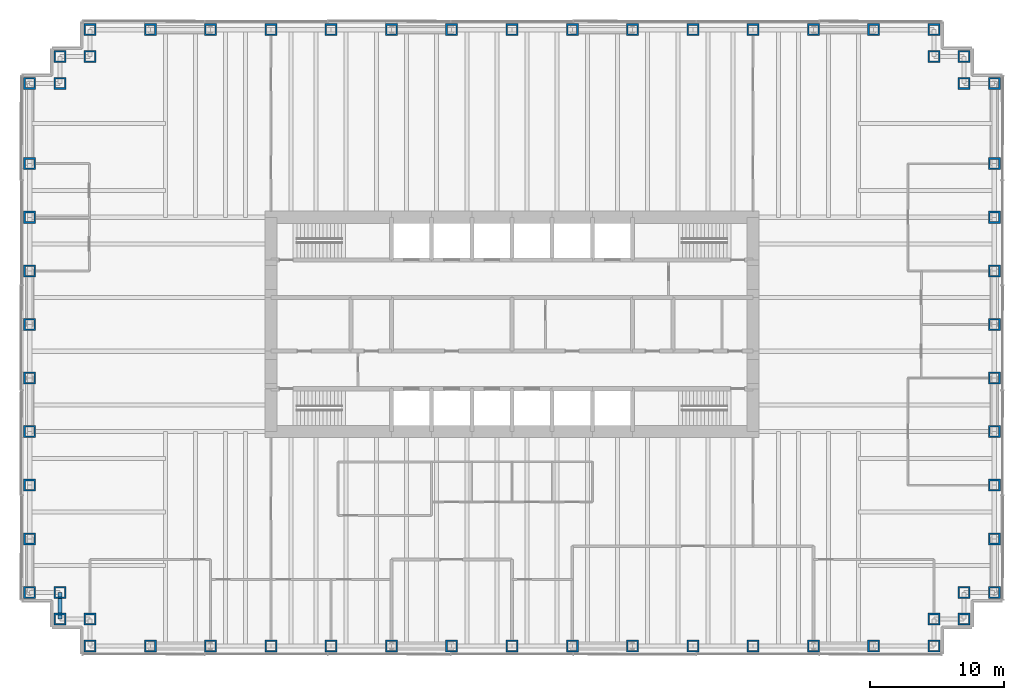
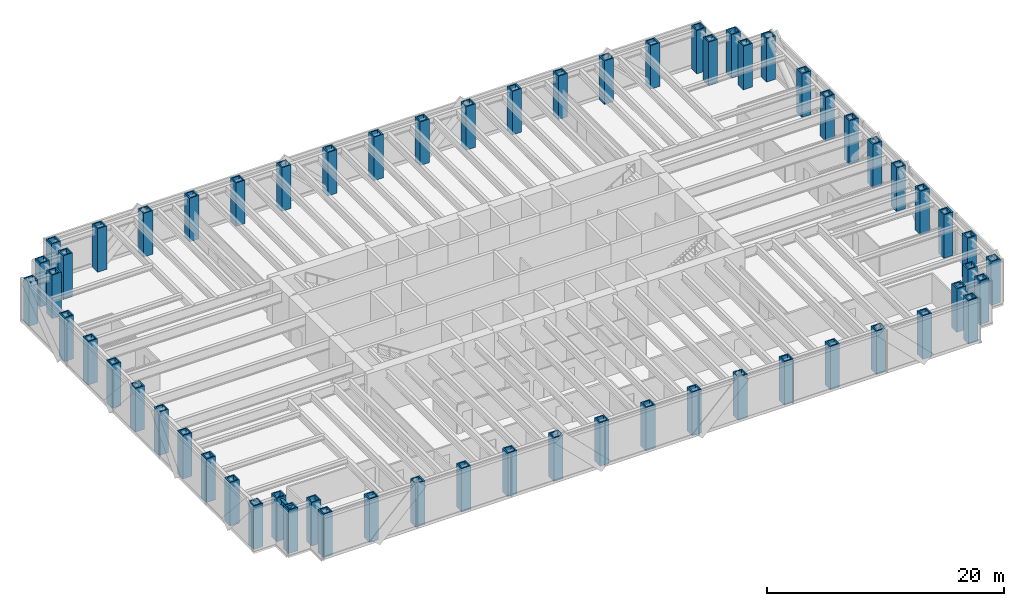
# One storey, part 1 of 13: 62 columns, 1 beam.
"""IFC4 building model written with IfcOpenShell, lengths in metres."""

from ifc_helpers import new_model, si_unit, direction, frame, origin, origin_2d, place, context, subcontext, project, spatial, hollow_rectangle, i_section, extrude, material, material_profile, profile_set, type_object, element, save


model = new_model("IFC4")

# Units and contexts
model_context = context("Model", 3, precision=1e-05, world=origin(), true_north=direction((0.0, 1.0)))
body_context = subcontext(model_context, "Body", "Model", "MODEL_VIEW")
ifc_project = project(units=[si_unit("LENGTHUNIT", "METRE"), si_unit("AREAUNIT", "SQUARE_METRE"), si_unit("VOLUMEUNIT", "CUBIC_METRE"), si_unit("PLANEANGLEUNIT", "RADIAN"), si_unit("MASSUNIT", "GRAM", prefix="KILO")], contexts=[model_context])

# Site, building, storey
site_placement = place(None, origin())
site = spatial("IfcSite", under=ifc_project, at=site_placement, CompositionType="ELEMENT")
building_placement = place(site_placement, origin())
building = spatial("IfcBuilding", under=site, at=building_placement, Name="Rheinbord Bourse Tower", CompositionType="ELEMENT")
storey_placement = place(building_placement, frame((0.0, 0.0, 36.5)))
storey = spatial("IfcBuildingStorey", under=building, at=storey_placement, Name="L07", CompositionType="ELEMENT", Elevation=36.5)

# Columns
ifc_material_1 = material(Name="Steel S460M", Category="steel")
ifc_material_profile_1 = material_profile(ifc_material_1, hollow_rectangle(XDim=0.89990234375, YDim=0.89990234375, WallThickness=0.1201171875, at=origin_2d()), Name="BOX 900x900x120")
ifc_profile_set_1 = profile_set([ifc_material_profile_1], Name="Steel S460M")
column_type = type_object("IfcColumnType", Name="TUBE COLUMN BOX 900x900x120", PredefinedType="COLUMN", material=ifc_profile_set_1)
for number, where, z_axis, x_axis, name in (
    (1, (4.5, 0.0, 0.0), (0.0, 0.0, 1.0), (0.0, 1.0, 0.0), "Column SW-E L07"),
    (2, (9.0, 0.0, 0.0), (0.0, 0.0, 1.0), (0.0, 1.0, 0.0), "Column S-9 L07"),
    (3, (13.5, 0.0, 0.0), (0.0, 0.0, 1.0), (0.0, 1.0, 0.0), "Column S-13.5 L07"),
    (4, (18.0, 0.0, 0.0), (0.0, 0.0, 1.0), (0.0, 1.0, 0.0), "Column S-18 L07"),
    (5, (22.5, 0.0, 0.0), (0.0, 0.0, 1.0), (0.0, 1.0, 0.0), "Column S-22.5 L07"),
    (6, (27.0, 0.0, 0.0), (0.0, 0.0, 1.0), (0.0, 1.0, 0.0), "Column S-27 L07"),
    (7, (31.5, 0.0, 0.0), (0.0, 0.0, 1.0), (0.0, 1.0, 0.0), "Column S-31.5 L07"),
    (8, (36.0, 0.0, 0.0), (0.0, 0.0, 1.0), (0.0, 1.0, 0.0), "Column S-36 L07"),
    (9, (40.5, 0.0, 0.0), (0.0, 0.0, 1.0), (0.0, 1.0, 0.0), "Column S-40.5 L07"),
    (10, (45.0, 0.0, 0.0), (0.0, 0.0, 1.0), (0.0, 1.0, 0.0), "Column S-45 L07"),
    (11, (49.5, 0.0, 0.0), (0.0, 0.0, 1.0), (0.0, 1.0, 0.0), "Column S-49.5 L07"),
    (12, (54.0, 0.0, 0.0), (0.0, 0.0, 1.0), (0.0, 1.0, 0.0), "Column S-54 L07"),
    (13, (58.5, 0.0, 0.0), (0.0, 0.0, 1.0), (0.0, 1.0, 0.0), "Column S-58.5 L07"),
    (14, (63.0, 0.0, 0.0), (0.0, 0.0, 1.0), (0.0, 1.0, 0.0), "Column S-63 L07"),
    (15, (67.5, 0.0, 0.0), (0.0, 0.0, 1.0), (0.0, 1.0, 0.0), "Column SE-E L07"),
    (16, (67.5, 2.0, 0.0), (0.0, 0.0, 1.0), (0.0, 1.0, 0.0), "Column SE-D L07"),
    (17, (69.75, 2.0, 0.0), (0.0, 0.0, 1.0), (1.0, 0.0, 0.0), "Column SE-C L07"),
    (18, (69.75, 4.0, 0.0), (0.0, 0.0, 1.0), (1.0, 0.0, 0.0), "Column SE-B L07"),
    (19, (72.0, 4.0, 0.0), (0.0, 0.0, 1.0), (1.0, 0.0, 0.0), "Column SE-A L07"),
    (20, (72.0, 8.0, 0.0), (0.0, 0.0, 1.0), (1.0, 0.0, 0.0), "Column E-8 L07"),
    (21, (72.0, 12.0, 0.0), (0.0, 0.0, 1.0), (1.0, 0.0, 0.0), "Column E-12 L07"),
    (22, (72.0, 16.0, 0.0), (0.0, 0.0, 1.0), (1.0, 0.0, 0.0), "Column E-16 L07"),
    (23, (72.0, 20.0, 0.0), (0.0, 0.0, 1.0), (1.0, 0.0, 0.0), "Column E-20 L07"),
    (24, (72.0, 24.0, 0.0), (0.0, 0.0, 1.0), (1.0, 0.0, 0.0), "Column E-24 L07"),
    (25, (72.0, 28.0, 0.0), (0.0, 0.0, 1.0), (1.0, 0.0, 0.0), "Column E-28 L07"),
    (26, (72.0, 32.0, 0.0), (0.0, 0.0, 1.0), (1.0, 0.0, 0.0), "Column E-32 L07"),
    (27, (72.0, 36.0, 0.0), (0.0, 0.0, 1.0), (1.0, 0.0, 0.0), "Column E-36 L07"),
    (28, (72.0, 42.0, 0.0), (0.0, 0.0, 1.0), (1.0, 0.0, 0.0), "Column NE-A L07"),
    (29, (69.75, 42.0, 0.0), (0.0, 0.0, 1.0), (1.0, 0.0, 0.0), "Column NE-B L07"),
    (30, (69.75, 44.0, 0.0), (0.0, 0.0, 1.0), (1.0, 0.0, 0.0), "Column NE-C L07"),
    (31, (67.5, 44.0, 0.0), (0.0, 0.0, 1.0), (0.0, 1.0, 0.0), "Column NE-D L07"),
    (32, (67.5, 46.0, 0.0), (0.0, 0.0, 1.0), (0.0, 1.0, 0.0), "Column NE-E L07"),
    (33, (63.0, 46.0, 0.0), (0.0, 0.0, 1.0), (0.0, 1.0, 0.0), "Column N-63 L07"),
    (34, (58.5, 46.0, 0.0), (0.0, 0.0, 1.0), (0.0, 1.0, 0.0), "Column N-58.5 L07"),
    (35, (54.0, 46.0, 0.0), (0.0, 0.0, 1.0), (0.0, 1.0, 0.0), "Column N-54 L07"),
    (36, (49.5, 46.0, 0.0), (0.0, 0.0, 1.0), (0.0, 1.0, 0.0), "Column N-49.5 L07"),
    (37, (45.0, 46.0, 0.0), (0.0, 0.0, 1.0), (0.0, 1.0, 0.0), "Column N-45 L07"),
    (38, (40.5, 46.0, 0.0), (0.0, 0.0, 1.0), (0.0, 1.0, 0.0), "Column N-40.5 L07"),
    (39, (36.0, 46.0, 0.0), (0.0, 0.0, 1.0), (0.0, 1.0, 0.0), "Column N-36 L07"),
    (40, (31.5, 46.0, 0.0), (0.0, 0.0, 1.0), (0.0, 1.0, 0.0), "Column N-31.5 L07"),
    (41, (27.0, 46.0, 0.0), (0.0, 0.0, 1.0), (0.0, 1.0, 0.0), "Column N-27 L07"),
    (42, (22.5, 46.0, 0.0), (0.0, 0.0, 1.0), (0.0, 1.0, 0.0), "Column N-22.5 L07"),
    (43, (18.0, 46.0, 0.0), (0.0, 0.0, 1.0), (0.0, 1.0, 0.0), "Column N-18 L07"),
    (44, (13.5, 46.0, 0.0), (0.0, 0.0, 1.0), (0.0, 1.0, 0.0), "Column N-13.5 L07"),
    (45, (9.0, 46.0, 0.0), (0.0, 0.0, 1.0), (0.0, 1.0, 0.0), "Column N-9 L07"),
    (46, (4.5, 46.0, 0.0), (0.0, 0.0, 1.0), (0.0, 1.0, 0.0), "Column NW-E L07"),
    (47, (4.5, 44.0, 0.0), (0.0, 0.0, 1.0), (0.0, 1.0, 0.0), "Column NW-D L07"),
    (48, (2.25, 44.0, 0.0), (0.0, 0.0, 1.0), (1.0, 0.0, 0.0), "Column NW-C L07"),
    (49, (2.25, 42.0, 0.0), (0.0, 0.0, 1.0), (1.0, 0.0, 0.0), "Column NW-B L07"),
    (50, (0.0, 42.0, 0.0), (0.0, 0.0, 1.0), (1.0, 0.0, 0.0), "Column NW-A L07"),
    (51, (0.0, 36.0, 0.0), (0.0, 0.0, 1.0), (1.0, 0.0, 0.0), "Column W-36 L07"),
    (52, (0.0, 32.0, 0.0), (0.0, 0.0, 1.0), (1.0, 0.0, 0.0), "Column W-32 L07"),
    (53, (0.0, 28.0, 0.0), (0.0, 0.0, 1.0), (1.0, 0.0, 0.0), "Column W-28 L07"),
    (54, (0.0, 24.0, 0.0), (0.0, 0.0, 1.0), (1.0, 0.0, 0.0), "Column W-24 L07"),
    (55, (0.0, 20.0, 0.0), (0.0, 0.0, 1.0), (1.0, 0.0, 0.0), "Column W-20 L07"),
    (56, (0.0, 16.0, 0.0), (0.0, 0.0, 1.0), (1.0, 0.0, 0.0), "Column W-16 L07"),
    (57, (0.0, 12.0, 0.0), (0.0, 0.0, 1.0), (1.0, 0.0, 0.0), "Column W-12 L07"),
    (58, (0.0, 8.0, 0.0), (0.0, 0.0, 1.0), (1.0, 0.0, 0.0), "Column W-8 L07"),
    (59, (0.0, 4.0, 0.0), (0.0, 0.0, 1.0), (1.0, 0.0, 0.0), "Column SW-A L07"),
    (60, (2.25, 4.0, 0.0), (0.0, 0.0, 1.0), (1.0, 0.0, 0.0), "Column SW-B L07"),
    (61, (2.25, 2.0, 0.0), (0.0, 0.0, 1.0), (1.0, 0.0, 0.0), "Column SW-C L07"),
    (62, (4.5, 2.0, 0.0), (0.0, 0.0, 1.0), (0.0, 1.0, 0.0), "Column SW-D L07"),
):
    element("IfcColumn", number, at=place(storey_placement, frame(where, z_axis=z_axis, x_axis=x_axis)), inside=storey, type_object=column_type, Name=name, PredefinedType="COLUMN", context=body_context, shape_type="SweptSolid", body=[
        extrude(hollow_rectangle(XDim=0.89990234375, YDim=0.89990234375, WallThickness=0.1201171875, at=origin_2d()), origin(), (0.0, 0.0, 1.0), 4.5),
    ])

# Beam
ifc_material_2 = material(Name="Steel S460", Category="steel")
ifc_material_profile_2 = material_profile(ifc_material_2, i_section(OverallWidth=0.304931640625, OverallDepth=0.6201171875, WebThickness=0.02099609375, FlangeThickness=0.0400390625, at=origin_2d()), Name="HEM 600")
ifc_profile_set_2 = profile_set([ifc_material_profile_2], Name="Steel S460")
beam_type = type_object("IfcBeamType", Name="SPANDREL HEM 600", PredefinedType="SPANDREL", material=ifc_profile_set_2)
beam_placement = place(storey_placement, frame((2.25, 4.0, 4.010009765625), z_axis=(0.0, -1.0, 0.0), x_axis=(1.0, 0.0, 0.0)))
element("IfcBeam", 63, at=beam_placement, inside=storey, type_object=beam_type, Name="Spandrel SW-B-SW-C under L08", PredefinedType="SPANDREL", context=body_context, shape_type="SweptSolid", body=[
    extrude(i_section(OverallWidth=0.304931640625, OverallDepth=0.6201171875, WebThickness=0.02099609375, FlangeThickness=0.0400390625, at=origin_2d()), origin(), (0.0, 0.0, 1.0), 2.0),
])

save(model, "model.ifc")
